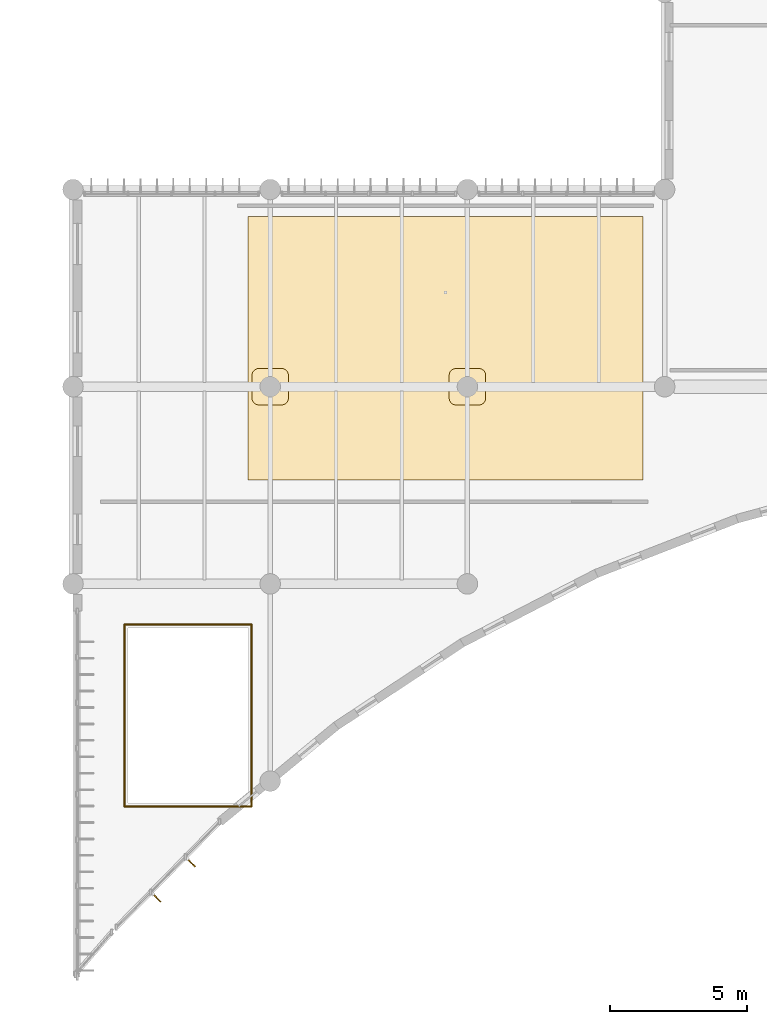
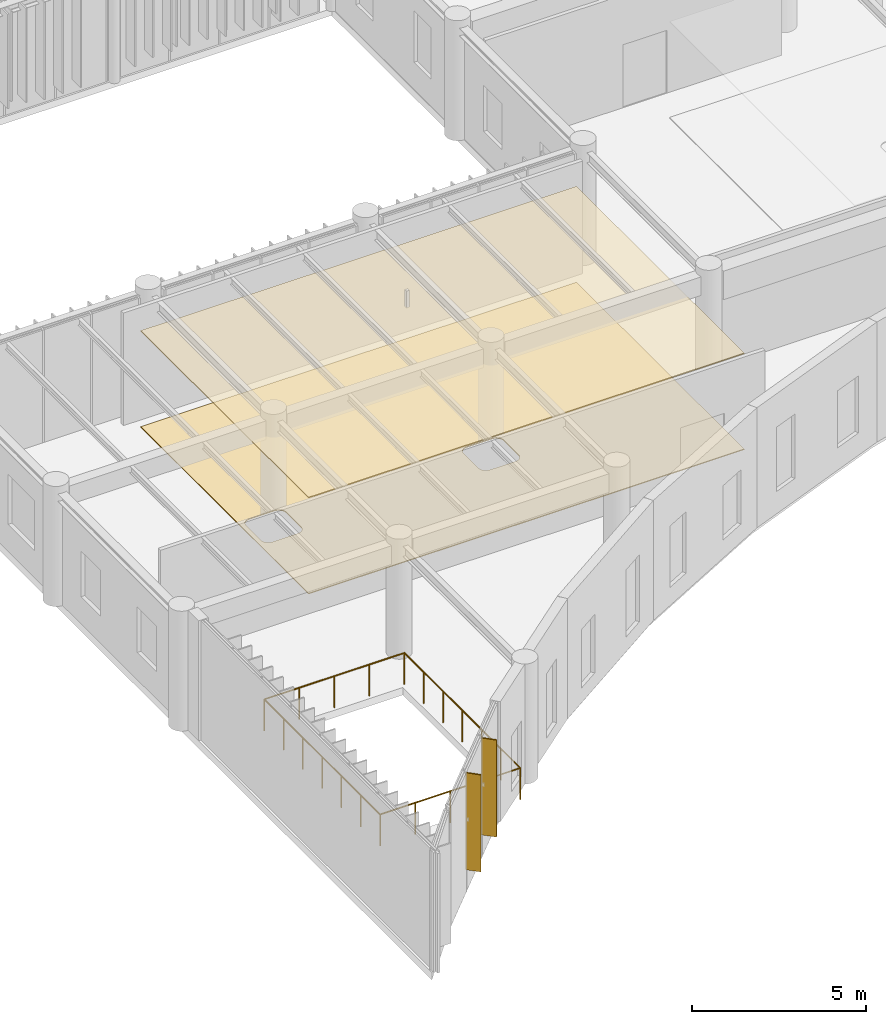
# One storey, part 106 of 122: 4 railings, 2 coverings, 2 shading devices.
"""IFC4 building model written with IfcOpenShell, lengths in metres."""

from ifc_helpers import new_model, si_unit, direction, frame, origin, origin_2d, place, context, subcontext, project, spatial, polyline, rectangle, circle, outline, extrude, material, layer, layer_set, material_profile, profile_set, type_object, element, save


model = new_model("IFC4")

# Units and contexts
model_context = context("Model", 3, precision=1e-05, world=origin(), true_north=direction((0.0, 1.0)))
body_context = subcontext(model_context, "Body", "Model", "MODEL_VIEW")
ifc_project = project(units=[si_unit("LENGTHUNIT", "METRE"), si_unit("AREAUNIT", "SQUARE_METRE"), si_unit("VOLUMEUNIT", "CUBIC_METRE"), si_unit("PLANEANGLEUNIT", "RADIAN"), si_unit("MASSUNIT", "GRAM", prefix="KILO")], contexts=[model_context])

# Site, building, storey
site_placement = place(None, origin())
site = spatial("IfcSite", under=ifc_project, at=site_placement, CompositionType="ELEMENT")
building_placement = place(site_placement, origin())
building = spatial("IfcBuilding", under=site, at=building_placement, Name="Tazoul Stagehouse", CompositionType="ELEMENT")
storey_placement = place(building_placement, frame((0.0, 0.0, 4.800048828125)))
storey = spatial("IfcBuildingStorey", under=building, at=storey_placement, Name="L01", CompositionType="ELEMENT", Elevation=4.800048828125)

# Shading device
ifc_material_1 = material(Name="Anodised Bronze Aluminium 6063-T6", Category="aluminium")
ifc_layer_1 = layer(ifc_material_1, 0.050048828125, Name="Anodised Bronze Aluminium 6063-T6")
ifc_layer_set_1 = layer_set([ifc_layer_1], Name="Anodised Bronze Aluminium 6063-T6")
shading_device_type_1 = type_object("IfcShadingDeviceType", Name="Angled Acoustic Sun-Screen Blade 460", PredefinedType="USERDEFINED", material=ifc_layer_set_1)
shading_device_1_placement = place(storey_placement, frame((39.0419921875, 4.35205078125, 0.75), z_axis=(0.0, 0.0, 1.0), x_axis=(0.700246698398, 0.713900946479, 0.0)))
element("IfcShadingDevice", 1, at=shading_device_1_placement, inside=storey, type_object=shading_device_type_1, Name="Shading Louvre FIN-02 CW-V5-CRN-L01-C02-SHD01", ObjectType="FIN", PredefinedType="USERDEFINED", context=body_context, shape_type="SweptSolid", body=[
    extrude(rectangle(XDim=0.044921875, YDim=0.4599609375, at=origin_2d()), origin(), (0.0, 0.0, 1.0), 3.389892578125),
])

# Railings
ifc_material_2 = material(Name="Brushed Stainless Steel 316L", Category="steel")
ifc_material_profile = material_profile(ifc_material_2, circle(Radius=0.02392578125, at=origin_2d()), Name="SS RAIL D48")
ifc_profile_set = profile_set([ifc_material_profile], Name="Brushed Stainless Steel 316L")
railing_type = type_object("IfcRailingType", Name="Architectural Guardrail H1120", PredefinedType="GUARDRAIL", material=ifc_profile_set)
railing_1_placement = place(storey_placement, frame((37.8798828125, 7.679931640625, 0.0)))
element("IfcRailing", 2, at=railing_1_placement, inside=storey, type_object=railing_type, Name="L01 Open-Edge Guard GRD-01 (GRD-VOID6-S1)", PredefinedType="GUARDRAIL", context=body_context, shape_type="SweptSolid", body=[
    extrude(circle(Radius=0.02392578125, at=origin_2d()), frame((0.0, 0.0, 1.09619140625), z_axis=(1.0, 0.0, 0.0), x_axis=(0.0, 1.0, 0.0)), (0.0, 0.0, 1.0), 4.64013671875),
    extrude(circle(Radius=0.02099609375, at=origin_2d()), origin(), (0.0, 0.0, 1.0), 1.072021484375),
    extrude(circle(Radius=0.02099609375, at=origin_2d()), frame((1.16015625, 0.0, 0.0)), (0.0, 0.0, 1.0), 1.072021484375),
    extrude(circle(Radius=0.02099609375, at=origin_2d()), frame((2.320068359375, 0.0, 0.0)), (0.0, 0.0, 1.0), 1.072021484375),
    extrude(circle(Radius=0.02099609375, at=origin_2d()), frame((3.47998046875, 0.0, 0.0)), (0.0, 0.0, 1.0), 1.072021484375),
    extrude(circle(Radius=0.02099609375, at=origin_2d()), frame((4.64013671875, 0.0, 0.0)), (0.0, 0.0, 1.0), 1.072021484375),
])
railing_2_placement = place(storey_placement, frame((42.52001953125, 7.679931640625, 0.0)))
element("IfcRailing", 3, at=railing_2_placement, inside=storey, type_object=railing_type, Name="L01 Open-Edge Guard GRD-01 (GRD-VOID6-E1)", PredefinedType="GUARDRAIL", context=body_context, shape_type="SweptSolid", body=[
    extrude(circle(Radius=0.02392578125, at=origin_2d()), frame((0.0, 0.0, 1.09619140625), z_axis=(0.0, 1.0, 0.0), x_axis=(-1.0, 0.0, 0.0)), (0.0, 0.0, 1.0), 6.64013671875),
    extrude(circle(Radius=0.02099609375, at=origin_2d()), origin(), (0.0, 0.0, 1.0), 1.072021484375),
    extrude(circle(Radius=0.02099609375, at=origin_2d()), frame((0.0, 1.106689453125, 0.0)), (0.0, 0.0, 1.0), 1.072021484375),
    extrude(circle(Radius=0.02099609375, at=origin_2d()), frame((0.0, 2.21337890625, 0.0)), (0.0, 0.0, 1.0), 1.072021484375),
    extrude(circle(Radius=0.02099609375, at=origin_2d()), frame((0.0, 3.320068359375, 0.0)), (0.0, 0.0, 1.0), 1.072021484375),
    extrude(circle(Radius=0.02099609375, at=origin_2d()), frame((0.0, 4.4267578125, 0.0)), (0.0, 0.0, 1.0), 1.072021484375),
    extrude(circle(Radius=0.02099609375, at=origin_2d()), frame((0.0, 5.533447265625, 0.0)), (0.0, 0.0, 1.0), 1.072021484375),
    extrude(circle(Radius=0.02099609375, at=origin_2d()), frame((0.0, 6.64013671875, 0.0)), (0.0, 0.0, 1.0), 1.072021484375),
])
railing_3_placement = place(storey_placement, frame((42.52001953125, 14.320068359375, 0.0)))
element("IfcRailing", 4, at=railing_3_placement, inside=storey, type_object=railing_type, Name="L01 Open-Edge Guard GRD-01 (GRD-VOID6-N1)", PredefinedType="GUARDRAIL", context=body_context, shape_type="SweptSolid", body=[
    extrude(circle(Radius=0.02392578125, at=origin_2d()), frame((0.0, 0.0, 1.09619140625), z_axis=(-1.0, 0.0, 0.0), x_axis=(0.0, -1.0, 0.0)), (0.0, 0.0, 1.0), 4.64013671875),
    extrude(circle(Radius=0.02099609375, at=origin_2d()), origin(), (0.0, 0.0, 1.0), 1.072021484375),
    extrude(circle(Radius=0.02099609375, at=origin_2d()), frame((-1.16015625, 0.0, 0.0)), (0.0, 0.0, 1.0), 1.072021484375),
    extrude(circle(Radius=0.02099609375, at=origin_2d()), frame((-2.320068359375, 0.0, 0.0)), (0.0, 0.0, 1.0), 1.072021484375),
    extrude(circle(Radius=0.02099609375, at=origin_2d()), frame((-3.47998046875, 0.0, 0.0)), (0.0, 0.0, 1.0), 1.072021484375),
    extrude(circle(Radius=0.02099609375, at=origin_2d()), frame((-4.64013671875, 0.0, 0.0)), (0.0, 0.0, 1.0), 1.072021484375),
])
railing_4_placement = place(storey_placement, frame((37.8798828125, 14.320068359375, 0.0)))
element("IfcRailing", 5, at=railing_4_placement, inside=storey, type_object=railing_type, Name="L01 Open-Edge Guard GRD-01 (GRD-VOID6-W1)", PredefinedType="GUARDRAIL", context=body_context, shape_type="SweptSolid", body=[
    extrude(circle(Radius=0.02392578125, at=origin_2d()), frame((0.0, 0.0, 1.09619140625), z_axis=(0.0, -1.0, 0.0), x_axis=(1.0, 0.0, 0.0)), (0.0, 0.0, 1.0), 6.64013671875),
    extrude(circle(Radius=0.02099609375, at=origin_2d()), origin(), (0.0, 0.0, 1.0), 1.072021484375),
    extrude(circle(Radius=0.02099609375, at=origin_2d()), frame((0.0, -1.106689453125, 0.0)), (0.0, 0.0, 1.0), 1.072021484375),
    extrude(circle(Radius=0.02099609375, at=origin_2d()), frame((0.0, -2.21337890625, 0.0)), (0.0, 0.0, 1.0), 1.072021484375),
    extrude(circle(Radius=0.02099609375, at=origin_2d()), frame((0.0, -3.320068359375, 0.0)), (0.0, 0.0, 1.0), 1.072021484375),
    extrude(circle(Radius=0.02099609375, at=origin_2d()), frame((0.0, -4.4267578125, 0.0)), (0.0, 0.0, 1.0), 1.072021484375),
    extrude(circle(Radius=0.02099609375, at=origin_2d()), frame((0.0, -5.533447265625, 0.0)), (0.0, 0.0, 1.0), 1.072021484375),
    extrude(circle(Radius=0.02099609375, at=origin_2d()), frame((0.0, -6.64013671875, 0.0)), (0.0, 0.0, 1.0), 1.072021484375),
])

# Coverings
ifc_material_3 = material(Name="Gypsum Acoustic Partition", Category="gypsum")
ifc_layer_2 = layer(ifc_material_3, 0.034912109375, Name="Gypsum Acoustic Partition")
ifc_layer_set_2 = layer_set([ifc_layer_2], Name="Gypsum Acoustic Partition")
covering_type_1 = type_object("IfcCoveringType", Name="Gypsum Acoustic Foyer Suspended Ceiling 35", PredefinedType="CEILING", material=ifc_layer_set_2)
covering_1_placement = place(storey_placement, frame((0.0, 0.0, 3.35498046875)))
element("IfcCovering", 6, at=covering_1_placement, inside=storey, type_object=covering_type_1, Name="L01 VIP Patron Salon and Interval Bar Suspended Ceiling", PredefinedType="CEILING", context=body_context, shape_type="SweptSolid", body=[
    extrude(outline(polyline([(56.81005859375, 29.2099609375), (56.81005859375, 19.590087890625), (42.389892578125, 19.590087890625), (42.389892578125, 29.2099609375), (56.81005859375, 29.2099609375)])), origin(), (0.0, 0.0, 1.0), 0.034912109375),
])
ifc_material_4 = material(Name="Honed Rabat Calcarenite Stone", Category="masonry")
ifc_layer_3 = layer(ifc_material_4, 0.030029296875, Name="Honed Rabat Calcarenite Stone")
ifc_layer_set_3 = layer_set([ifc_layer_3], Name="Honed Rabat Calcarenite Stone")
covering_type_2 = type_object("IfcCoveringType", Name="Honed Rabat Limestone Foyer Flooring 30", PredefinedType="FLOORING", material=ifc_layer_set_3)
covering_2_placement = place(storey_placement, origin())
element("IfcCovering", 7, at=covering_2_placement, inside=storey, type_object=covering_type_2, Name="L01 VIP Patron Salon and Interval Bar Flooring", PredefinedType="FLOORING", context=body_context, shape_type="SweptSolid", body=[
    extrude(outline(polyline([(56.81005859375, 29.2099609375), (56.81005859375, 19.590087890625), (42.389892578125, 19.590087890625), (42.389892578125, 29.2099609375), (56.81005859375, 29.2099609375)]), holes=[polyline([(51.063720703125, 23.439453125), (51.060302734375, 23.4638671875), (51.05419921875, 23.487548828125), (51.0458984375, 23.5107421875), (51.035400390625, 23.53271484375), (51.02294921875, 23.553955078125), (51.00830078125, 23.573486328125), (50.99169921875, 23.591796875), (50.9736328125, 23.6083984375), (50.953857421875, 23.622802734375), (50.932861328125, 23.635498046875), (50.91064453125, 23.64599609375), (50.8876953125, 23.654296875), (50.86376953125, 23.66015625), (50.839599609375, 23.663818359375), (50.81494140625, 23.6650390625), (49.985107421875, 23.6650390625), (49.96044921875, 23.663818359375), (49.936279296875, 23.66015625), (49.912353515625, 23.654296875), (49.889404296875, 23.64599609375), (49.8671875, 23.635498046875), (49.84619140625, 23.622802734375), (49.826416015625, 23.6083984375), (49.80810546875, 23.591796875), (49.791748046875, 23.573486328125), (49.777099609375, 23.553955078125), (49.764404296875, 23.53271484375), (49.75390625, 23.5107421875), (49.745849609375, 23.487548828125), (49.73974609375, 23.4638671875), (49.736083984375, 23.439453125), (49.735107421875, 23.4150390625), (49.735107421875, 22.5849609375), (49.736083984375, 22.560546875), (49.73974609375, 22.5361328125), (49.745849609375, 22.512451171875), (49.75390625, 22.4892578125), (49.764404296875, 22.46728515625), (49.777099609375, 22.446044921875), (49.791748046875, 22.426513671875), (49.80810546875, 22.408203125), (49.826416015625, 22.3916015625), (49.84619140625, 22.377197265625), (49.8671875, 22.364501953125), (49.889404296875, 22.35400390625), (49.912353515625, 22.345703125), (49.936279296875, 22.33984375), (49.96044921875, 22.336181640625), (49.985107421875, 22.3349609375), (50.81494140625, 22.3349609375), (50.839599609375, 22.336181640625), (50.86376953125, 22.33984375), (50.8876953125, 22.345703125), (50.91064453125, 22.35400390625), (50.932861328125, 22.364501953125), (50.953857421875, 22.377197265625), (50.9736328125, 22.3916015625), (50.99169921875, 22.408203125), (51.00830078125, 22.426513671875), (51.02294921875, 22.446044921875), (51.035400390625, 22.46728515625), (51.0458984375, 22.4892578125), (51.05419921875, 22.512451171875), (51.060302734375, 22.5361328125), (51.063720703125, 22.560546875), (51.06494140625, 22.5849609375), (51.06494140625, 23.4150390625), (51.063720703125, 23.439453125)]), polyline([(43.86376953125, 23.439453125), (43.860107421875, 23.4638671875), (43.854248046875, 23.487548828125), (43.845947265625, 23.5107421875), (43.83544921875, 23.53271484375), (43.822998046875, 23.553955078125), (43.808349609375, 23.573486328125), (43.791748046875, 23.591796875), (43.773681640625, 23.6083984375), (43.75390625, 23.622802734375), (43.73291015625, 23.635498046875), (43.710693359375, 23.64599609375), (43.6875, 23.654296875), (43.663818359375, 23.66015625), (43.639404296875, 23.663818359375), (43.614990234375, 23.6650390625), (42.784912109375, 23.6650390625), (42.760498046875, 23.663818359375), (42.736083984375, 23.66015625), (42.71240234375, 23.654296875), (42.689208984375, 23.64599609375), (42.667236328125, 23.635498046875), (42.64599609375, 23.622802734375), (42.62646484375, 23.6083984375), (42.608154296875, 23.591796875), (42.591796875, 23.573486328125), (42.5771484375, 23.553955078125), (42.564453125, 23.53271484375), (42.553955078125, 23.5107421875), (42.5458984375, 23.487548828125), (42.539794921875, 23.4638671875), (42.5361328125, 23.439453125), (42.534912109375, 23.4150390625), (42.534912109375, 22.5849609375), (42.5361328125, 22.560546875), (42.539794921875, 22.5361328125), (42.5458984375, 22.512451171875), (42.553955078125, 22.4892578125), (42.564453125, 22.46728515625), (42.5771484375, 22.446044921875), (42.591796875, 22.426513671875), (42.608154296875, 22.408203125), (42.62646484375, 22.3916015625), (42.64599609375, 22.377197265625), (42.667236328125, 22.364501953125), (42.689208984375, 22.35400390625), (42.71240234375, 22.345703125), (42.736083984375, 22.33984375), (42.760498046875, 22.336181640625), (42.784912109375, 22.3349609375), (43.614990234375, 22.3349609375), (43.639404296875, 22.336181640625), (43.663818359375, 22.33984375), (43.6875, 22.345703125), (43.710693359375, 22.35400390625), (43.73291015625, 22.364501953125), (43.75390625, 22.377197265625), (43.773681640625, 22.3916015625), (43.791748046875, 22.408203125), (43.808349609375, 22.426513671875), (43.822998046875, 22.446044921875), (43.83544921875, 22.46728515625), (43.845947265625, 22.4892578125), (43.854248046875, 22.512451171875), (43.860107421875, 22.5361328125), (43.86376953125, 22.560546875), (43.864990234375, 22.5849609375), (43.864990234375, 23.4150390625), (43.86376953125, 23.439453125)])]), origin(), (0.0, 0.0, 1.0), 0.030029296875),
])

# Shading device
ifc_layer_4 = layer(ifc_material_1, 0.044921875, Name="Anodised Bronze Aluminium 6063-T6")
ifc_layer_set_4 = layer_set([ifc_layer_4], Name="Anodised Bronze Aluminium 6063-T6")
shading_device_type_2 = type_object("IfcShadingDeviceType", Name="Vertical Extruded Terracotta-Bronze Louvre 460", PredefinedType="JALOUSIE", material=ifc_layer_set_4)
shading_device_2_placement = place(storey_placement, frame((40.300048828125, 5.634521484375, 0.75), z_axis=(0.0, 0.0, 1.0), x_axis=(0.700246698398, 0.713900946479, 0.0)))
element("IfcShadingDevice", 8, at=shading_device_2_placement, inside=storey, type_object=shading_device_type_2, Name="Shading Louvre FIN-01 CW-V5-CRN-L01-C02-SHD02", PredefinedType="JALOUSIE", context=body_context, shape_type="SweptSolid", body=[
    extrude(rectangle(XDim=0.044921875, YDim=0.4599609375, at=origin_2d()), origin(), (0.0, 0.0, 1.0), 3.389892578125),
])

save(model, "model.ifc")
